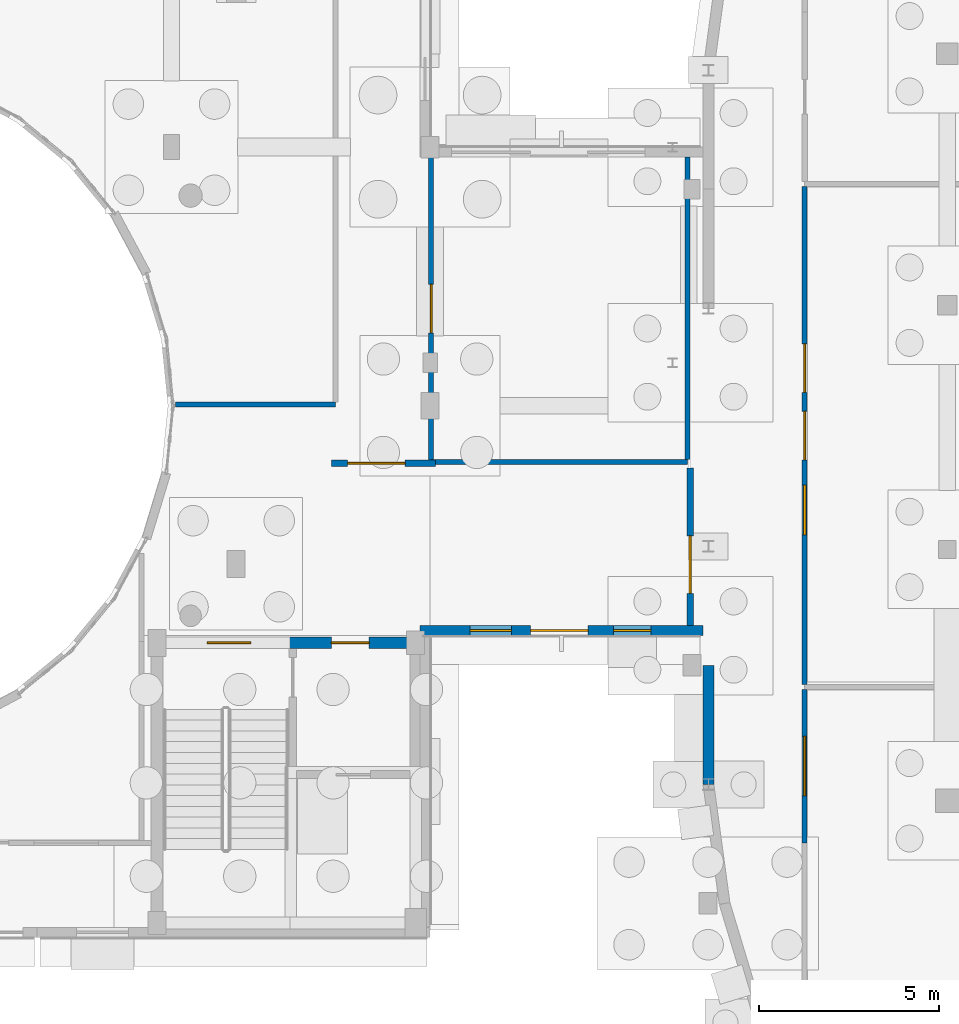
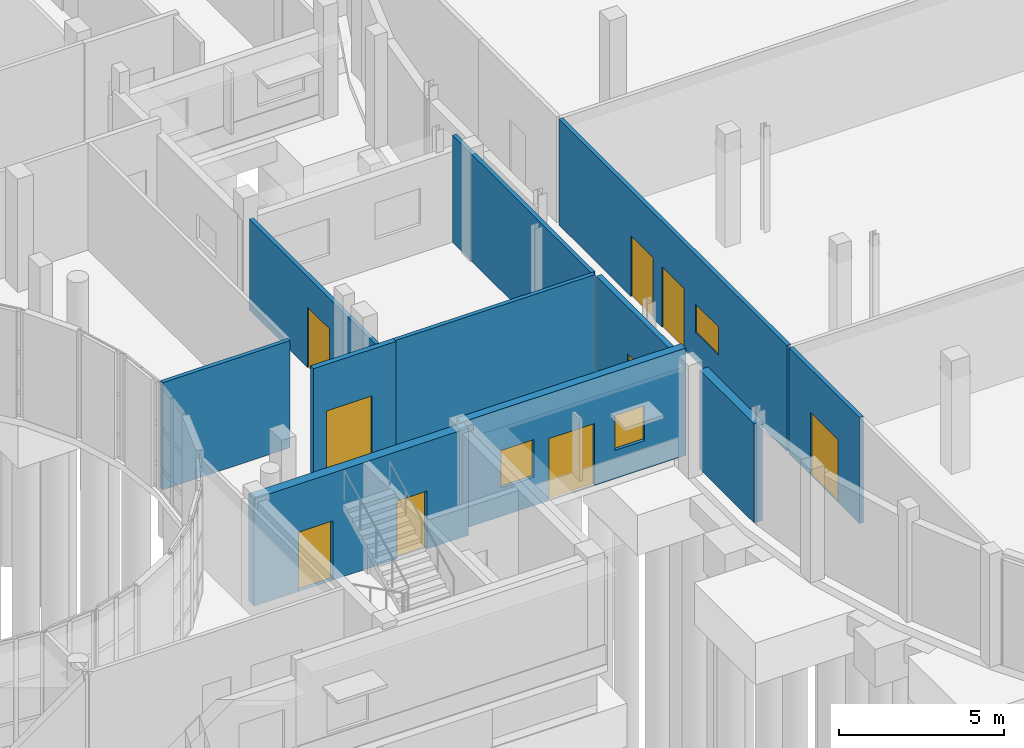
# One storey, part 69 of 93: 11 walls, 9 doors, 3 windows, 12 openings.
"""IFC4 building model written with IfcOpenShell, lengths in metres."""

from ifc_helpers import new_model, si_unit, direction, frame, frame_2d, origin, place, context, subcontext, project, spatial, rectangle, extrude, material, layer, layer_set, type_object, element, fill, save


model = new_model("IFC4")

# Units and contexts
model_context = context("Model", 3, precision=1e-05, world=origin(), true_north=direction((0.0, 1.0)))
body_context = subcontext(model_context, "Body", "Model", "MODEL_VIEW")
ifc_project = project(units=[si_unit("LENGTHUNIT", "METRE"), si_unit("AREAUNIT", "SQUARE_METRE"), si_unit("VOLUMEUNIT", "CUBIC_METRE"), si_unit("PLANEANGLEUNIT", "RADIAN"), si_unit("MASSUNIT", "GRAM", prefix="KILO")], contexts=[model_context])

# Site, building, storey
site_placement = place(None, origin())
site = spatial("IfcSite", under=ifc_project, at=site_placement, CompositionType="ELEMENT")
building_placement = place(site_placement, origin())
building = spatial("IfcBuilding", under=site, at=building_placement, Name="Kelanivale Promenade Academy", CompositionType="ELEMENT")
storey_placement = place(building_placement, origin())
storey = spatial("IfcBuildingStorey", under=building, at=storey_placement, Name="L00", CompositionType="ELEMENT", Elevation=0.0)

# Wall, openings, doors
ifc_material_1 = material(Name="Concrete C40/50", Category="concrete")
ifc_layer_1 = layer(ifc_material_1, 0.330078125)
ifc_layer_set_1 = layer_set([ifc_layer_1], Name="Concrete C40/50")
wall_type_1 = type_object("IfcWallType", Name="CW-S1 Wall 330mm", PredefinedType="SHEAR", material=ifc_layer_set_1)
wall_1_placement = place(storey_placement, frame((107.8349609375, 50.199951171875, 0.0), z_axis=(0.0, 0.0, 1.0), x_axis=(1.0, 0.0, 0.0)))
wall_1 = element("IfcWall", 1, at=wall_1_placement, inside=storey, type_object=wall_type_1, Name="CORE-3 RC shear wall N L00", PredefinedType="SHEAR", context=body_context, shape_type="SweptSolid", body=[
    extrude(rectangle(XDim=7.530029296875, YDim=0.330078125, at=frame_2d((3.76513671875, 0.0))), origin(), (0.0, 0.0, 1.0), 3.97998046875),
])
opening_1_placement = place(wall_1_placement, frame((5.014892578125, 0.0, 0.0)))
opening_1 = element("IfcOpeningElement", 2, at=opening_1_placement, cuts=wall_1, Name="Opening FD-CORE-3-LB-L00", PredefinedType="OPENING", context=body_context, shape_type="SweptSolid", body=[
    extrude(rectangle(XDim=1.050048828125, YDim=2.14990234375, at=frame_2d((0.52490234375, 1.074951171875))), frame((0.0, 0.175048828125, 0.0), z_axis=(0.0, -1.0, 0.0), x_axis=(1.0, 0.0, 0.0)), (0.0, 0.0, 1.0), 0.35009765625),
])
opening_2_placement = place(wall_1_placement, frame((1.56494140625, 0.0, 0.0)))
opening_2 = element("IfcOpeningElement", 3, at=opening_2_placement, cuts=wall_1, Name="Opening FD-CORE-3-ST-L00", PredefinedType="OPENING", context=body_context, shape_type="SweptSolid", body=[
    extrude(rectangle(XDim=1.199951171875, YDim=2.199951171875, at=frame_2d((0.60009765625, 1.10009765625))), frame((0.0, 0.175048828125, 0.0), z_axis=(0.0, -1.0, 0.0), x_axis=(1.0, 0.0, 0.0)), (0.0, 0.0, 1.0), 0.35009765625),
])
ifc_material_2 = material(Name="Fire-rated steel-core teak veneer", Category="steel")
door_type_1 = type_object("IfcDoorType", Name="DT-F02 Door 1200x2200", OperationType="NOTDEFINED", PredefinedType="DOOR", material=ifc_material_2)
door_1_placement = place(opening_2_placement, origin())
door_1 = element("IfcDoor", 4, at=door_1_placement, inside=storey, type_object=door_type_1, Name="CORE-3 protected stair fire door L00", OperationType="SINGLE_SWING_LEFT", OverallHeight=2.199951171875, OverallWidth=1.199951171875, PredefinedType="DOOR", context=body_context, shape_type="SweptSolid", body=[
    extrude(rectangle(XDim=1.199951171875, YDim=2.199951171875, at=frame_2d((0.60009765625, 1.10009765625))), frame((0.0, 0.02490234375, 0.0), z_axis=(0.0, -1.0, 0.0), x_axis=(1.0, 0.0, 0.0)), (0.0, 0.0, 1.0), 0.050048828125),
])
fill(opening_2, door_1)
door_type_2 = type_object("IfcDoorType", Name="DT-F03 Door 1050x2150", OperationType="NOTDEFINED", PredefinedType="DOOR", material=ifc_material_2)
door_2_placement = place(opening_1_placement, origin())
door_2 = element("IfcDoor", 5, at=door_2_placement, inside=storey, type_object=door_type_2, Name="CORE-3 corridor-to-lobby fire door L00", OperationType="SINGLE_SWING_RIGHT", OverallHeight=2.14990234375, OverallWidth=1.050048828125, PredefinedType="DOOR", context=body_context, shape_type="SweptSolid", body=[
    extrude(rectangle(XDim=1.050048828125, YDim=2.14990234375, at=frame_2d((0.52490234375, 1.074951171875))), frame((0.0, 0.02490234375, 0.0), z_axis=(0.0, -1.0, 0.0), x_axis=(1.0, 0.0, 0.0)), (0.0, 0.0, 1.0), 0.050048828125),
])
fill(opening_1, door_2)

# Wall
ifc_material_3 = material(Name="Insulated terracotta-clad masonry wall 300 mm", Category="masonry")
ifc_layer_2 = layer(ifc_material_3, 0.300048828125)
ifc_layer_set_2 = layer_set([ifc_layer_2], Name="Insulated terracotta-clad masonry wall 300 mm")
wall_type_2 = type_object("IfcWallType", Name="EW-01 Wall 300mm", PredefinedType="SOLIDWALL", material=ifc_layer_set_2)
wall_2_placement = place(storey_placement, frame((123.35009765625, 49.571044921875, 0.0), z_axis=(0.0, 0.0, 1.0), x_axis=(0.0, -1.0, 0.0)))
element("IfcWall", 6, at=wall_2_placement, inside=storey, type_object=wall_type_2, Name="Assembly Hall Arc Pavilion inner crescent wall L00", PredefinedType="SOLIDWALL", context=body_context, shape_type="SweptSolid", body=[
    extrude(rectangle(XDim=3.31396484375, YDim=0.300048828125, at=frame_2d((1.656982421875, 0.0))), origin(), (0.0, 0.0, 1.0), 3.679931640625),
])

# Wall, openings, door, windows
ifc_material_4 = material(Name="Insulated ivory stucco masonry wall 280 mm", Category="masonry")
ifc_layer_3 = layer(ifc_material_4, 0.280029296875)
ifc_layer_set_3 = layer_set([ifc_layer_3], Name="Insulated ivory stucco masonry wall 280 mm")
wall_type_3 = type_object("IfcWallType", Name="EW-02 Wall 280mm", PredefinedType="SOLIDWALL", material=ifc_layer_set_3)
wall_3_placement = place(storey_placement, frame((115.320068359375, 50.5400390625, 0.0), z_axis=(0.0, 0.0, 1.0), x_axis=(1.0, 0.0, 0.0)))
wall_3 = element("IfcWall", 7, at=wall_3_placement, inside=storey, type_object=wall_type_3, Name="L00 exterior facade wall EW-L00-ORT-0292", PredefinedType="SOLIDWALL", context=body_context, shape_type="SweptSolid", body=[
    extrude(rectangle(XDim=7.8798828125, YDim=0.280029296875, at=frame_2d((3.93994140625, 0.0))), origin(), (0.0, 0.0, 1.0), 3.97998046875),
])
opening_3_placement = place(wall_3_placement, frame((3.080078125, 0.0, 0.0)))
opening_3 = element("IfcOpeningElement", 8, at=opening_3_placement, cuts=wall_3, Name="Opening ED-11", PredefinedType="OPENING", context=body_context, shape_type="SweptSolid", body=[
    extrude(rectangle(XDim=1.60009765625, YDim=2.300048828125, at=frame_2d((0.800048828125, 1.14990234375))), frame((0.0, 0.14990234375, 0.0), z_axis=(0.0, -1.0, 0.0), x_axis=(1.0, 0.0, 0.0)), (0.0, 0.0, 1.0), 0.300048828125),
])
opening_4_placement = place(wall_3_placement, frame((1.39501953125, 0.0, 1.050048828125)))
opening_4 = element("IfcOpeningElement", 9, at=opening_4_placement, cuts=wall_3, Name="Opening WT-29", PredefinedType="OPENING", context=body_context, shape_type="SweptSolid", body=[
    extrude(rectangle(XDim=1.14990234375, YDim=1.39990234375, at=frame_2d((0.574951171875, 0.699951171875))), frame((0.0, 0.14990234375, 0.0), z_axis=(0.0, -1.0, 0.0), x_axis=(1.0, 0.0, 0.0)), (0.0, 0.0, 1.0), 0.300048828125),
])
opening_5_placement = place(wall_3_placement, frame((5.385009765625, 0.0, 1.050048828125)))
opening_5 = element("IfcOpeningElement", 10, at=opening_5_placement, cuts=wall_3, Name="Opening WT-30", PredefinedType="OPENING", context=body_context, shape_type="SweptSolid", body=[
    extrude(rectangle(XDim=1.050048828125, YDim=1.300048828125, at=frame_2d((0.52490234375, 0.64990234375))), frame((0.0, 0.14990234375, 0.0), z_axis=(0.0, -1.0, 0.0), x_axis=(1.0, 0.0, 0.0)), (0.0, 0.0, 1.0), 0.300048828125),
])
ifc_material_5 = material(Name="Bronze anodised aluminium and laminated glass", Category="aluminium")
door_type_3 = type_object("IfcDoorType", Name="DT-X02 Door 1600x2300", OperationType="NOTDEFINED", PredefinedType="DOOR", material=ifc_material_5)
door_3_placement = place(opening_3_placement, frame((1.60009765625, 0.0, 0.0), z_axis=(0.0, 0.0, 1.0), x_axis=(-1.0, 0.0, 0.0)))
door_3 = element("IfcDoor", 11, at=door_3_placement, inside=storey, type_object=door_type_3, Name="East Assembly Foyer final exit door ED-11", OperationType="DOUBLE_DOOR_SINGLE_SWING", OverallHeight=2.300048828125, OverallWidth=1.60009765625, PredefinedType="DOOR", context=body_context, shape_type="SweptSolid", body=[
    extrude(rectangle(XDim=1.60009765625, YDim=2.300048828125, at=frame_2d((0.800048828125, 1.14990234375))), frame((0.0, 0.02490234375, 0.0), z_axis=(0.0, -1.0, 0.0), x_axis=(1.0, 0.0, 0.0)), (0.0, 0.0, 1.0), 0.050048828125),
])
fill(opening_3, door_3)
ifc_material_6 = material(Name="Bronze anodised aluminium frame with low-E laminated glass", Category="aluminium")
window_type_1 = type_object("IfcWindowType", Name="WT-29 Window 1150x1400", PartitioningType="SINGLE_PANEL", PredefinedType="WINDOW", material=ifc_material_6)
window_1_placement = place(opening_4_placement, origin())
window_1 = element("IfcWindow", 12, at=window_1_placement, inside=storey, type_object=window_type_1, Name="Window WT-29", OverallHeight=1.39990234375, OverallWidth=1.14990234375, PartitioningType="SINGLE_PANEL", PredefinedType="WINDOW", context=body_context, shape_type="SweptSolid", body=[
    extrude(rectangle(XDim=1.14990234375, YDim=1.39990234375, at=frame_2d((0.574951171875, 0.699951171875))), frame((0.0, 0.030029296875, 0.0), z_axis=(0.0, -1.0, 0.0), x_axis=(1.0, 0.0, 0.0)), (0.0, 0.0, 1.0), 0.06005859375),
])
fill(opening_4, window_1)
window_type_2 = type_object("IfcWindowType", Name="WT-30 Window 1050x1300", PartitioningType="SINGLE_PANEL", PredefinedType="WINDOW", material=ifc_material_6)
window_2_placement = place(opening_5_placement, origin())
window_2 = element("IfcWindow", 13, at=window_2_placement, inside=storey, type_object=window_type_2, Name="Window WT-30", OverallHeight=1.300048828125, OverallWidth=1.050048828125, PartitioningType="SINGLE_PANEL", PredefinedType="WINDOW", context=body_context, shape_type="SweptSolid", body=[
    extrude(rectangle(XDim=1.050048828125, YDim=1.300048828125, at=frame_2d((0.52490234375, 0.64990234375))), frame((0.0, 0.030029296875, 0.0), z_axis=(0.0, -1.0, 0.0), x_axis=(1.0, 0.0, 0.0)), (0.0, 0.0, 1.0), 0.06005859375),
])
fill(opening_5, window_2)

# Wall, opening, door
ifc_material_7 = material(Name="Autoclaved masonry blockwork 180 mm", Category="masonry")
ifc_layer_4 = layer(ifc_material_7, 0.179931640625)
ifc_layer_set_4 = layer_set([ifc_layer_4], Name="Autoclaved masonry blockwork 180 mm")
wall_type_4 = type_object("IfcWallType", Name="IW-02 Wall 180mm", PredefinedType="PARTITIONING", material=ifc_layer_set_4)
wall_4_placement = place(storey_placement, frame((122.840087890625, 50.677978515625, 0.0), z_axis=(0.0, 0.0, 1.0), x_axis=(0.0, 1.0, 0.0)))
wall_4 = element("IfcWall", 14, at=wall_4_placement, inside=storey, type_object=wall_type_4, Name="L00 movement-joint corridor fire wall E", PredefinedType="PARTITIONING", context=body_context, shape_type="SweptSolid", body=[
    extrude(rectangle(XDim=4.382080078125, YDim=0.179931640625, at=frame_2d((2.19091796875, 0.0))), origin(), (0.0, 0.0, 1.0), 3.97998046875),
])
opening_6_placement = place(wall_4_placement, frame((0.89990234375, 0.0, 0.0)))
opening_6 = element("IfcOpeningElement", 15, at=opening_6_placement, cuts=wall_4, Name="Opening FD-L00-MJ-E", PredefinedType="OPENING", context=body_context, shape_type="SweptSolid", body=[
    extrude(rectangle(XDim=1.60009765625, YDim=2.25, at=frame_2d((0.800048828125, 1.125))), frame((0.0, 0.10009765625, 0.0), z_axis=(0.0, -1.0, 0.0), x_axis=(1.0, 0.0, 0.0)), (0.0, 0.0, 1.0), 0.199951171875),
])
door_type_4 = type_object("IfcDoorType", Name="DT-F09 Door 1600x2250", OperationType="NOTDEFINED", PredefinedType="DOOR", material=ifc_material_2)
door_4_placement = place(opening_6_placement, origin())
door_4 = element("IfcDoor", 16, at=door_4_placement, inside=storey, type_object=door_type_4, Name="L00 movement-joint corridor double fire door E", OperationType="DOUBLE_DOOR_SINGLE_SWING", OverallHeight=2.25, OverallWidth=1.60009765625, PredefinedType="DOOR", context=body_context, shape_type="SweptSolid", body=[
    extrude(rectangle(XDim=1.60009765625, YDim=2.25, at=frame_2d((0.800048828125, 1.125))), frame((0.0, 0.02490234375, 0.0), z_axis=(0.0, -1.0, 0.0), x_axis=(1.0, 0.0, 0.0)), (0.0, 0.0, 1.0), 0.050048828125),
])
fill(opening_6, door_4)

wall_5_placement = place(storey_placement, frame((112.85302734375, 55.199951171875, 0.0), z_axis=(0.0, 0.0, 1.0), x_axis=(1.0, 0.0, 0.0)))
wall_5 = element("IfcWall", 17, at=wall_5_placement, inside=storey, type_object=wall_type_4, Name="L00 cross-corridor fire wall", PredefinedType="PARTITIONING", context=body_context, shape_type="SweptSolid", body=[
    extrude(rectangle(XDim=2.89697265625, YDim=0.179931640625, at=frame_2d((1.448486328125, 0.0))), origin(), (0.0, 0.0, 1.0), 3.97998046875),
])
opening_7_placement = place(wall_5_placement, frame((0.4541015625, 0.0, 0.0)))
opening_7 = element("IfcOpeningElement", 18, at=opening_7_placement, cuts=wall_5, Name="Opening FD-L00-CC-002", PredefinedType="OPENING", context=body_context, shape_type="SweptSolid", body=[
    extrude(rectangle(XDim=1.60009765625, YDim=2.25, at=frame_2d((0.800048828125, 1.125))), frame((0.0, 0.10009765625, 0.0), z_axis=(0.0, -1.0, 0.0), x_axis=(1.0, 0.0, 0.0)), (0.0, 0.0, 1.0), 0.199951171875),
])
door_5_placement = place(opening_7_placement, origin())
door_5 = element("IfcDoor", 19, at=door_5_placement, inside=storey, type_object=door_type_4, Name="L00 cross-corridor fire door FD-L00-CC-002", OperationType="DOUBLE_DOOR_SINGLE_SWING", OverallHeight=2.25, OverallWidth=1.60009765625, PredefinedType="DOOR", context=body_context, shape_type="SweptSolid", body=[
    extrude(rectangle(XDim=1.60009765625, YDim=2.25, at=frame_2d((0.800048828125, 1.125))), frame((0.0, 0.02490234375, 0.0), z_axis=(0.0, -1.0, 0.0), x_axis=(1.0, 0.0, 0.0)), (0.0, 0.0, 1.0), 0.050048828125),
])
fill(opening_7, door_5)

ifc_material_8 = material(Name="Acoustic double-stud gypsum board partition 140 mm", Category="masonry")
ifc_layer_5 = layer(ifc_material_8, 0.139892578125)
ifc_layer_set_5 = layer_set([ifc_layer_5], Name="Acoustic double-stud gypsum board partition 140 mm")
wall_type_5 = type_object("IfcWallType", Name="IW-04 Wall 140mm", PredefinedType="PARTITIONING", material=ifc_layer_set_5)
wall_6_placement = place(storey_placement, frame((126.030029296875, 48.902099609375, 0.0), z_axis=(0.0, 0.0, 1.0), x_axis=(0.0, -1.0, 0.0)))
wall_6 = element("IfcWall", 20, at=wall_6_placement, inside=storey, type_object=wall_type_5, Name="L00 partition Music Recital Studio", PredefinedType="PARTITIONING", context=body_context, shape_type="SweptSolid", body=[
    extrude(rectangle(XDim=4.272216796875, YDim=0.139892578125, at=frame_2d((2.13623046875, 0.0))), origin(), (0.0, 0.0, 1.0), 3.929931640625),
])
opening_8_placement = place(wall_6_placement, frame((1.31103515625, 0.0, 0.0)))
opening_8 = element("IfcOpeningElement", 21, at=opening_8_placement, cuts=wall_6, Name="Opening ID-L00-017", PredefinedType="OPENING", context=body_context, shape_type="SweptSolid", body=[
    extrude(rectangle(XDim=1.64990234375, YDim=2.320068359375, at=frame_2d((0.824951171875, 1.16015625))), frame((0.0, 0.080078125, 0.0), z_axis=(0.0, -1.0, 0.0), x_axis=(1.0, 0.0, 0.0)), (0.0, 0.0, 1.0), 0.159912109375),
])
ifc_material_9 = material(Name="Solid-core tropical teak timber", Category="wood")
door_type_5 = type_object("IfcDoorType", Name="DT-I21 Door 1650x2320", OperationType="NOTDEFINED", PredefinedType="DOOR", material=ifc_material_9)
door_6_placement = place(opening_8_placement, origin())
door_6 = element("IfcDoor", 22, at=door_6_placement, inside=storey, type_object=door_type_5, Name="Music Recital Studio door ID-L00-017", OperationType="DOUBLE_DOOR_SINGLE_SWING", OverallHeight=2.320068359375, OverallWidth=1.64990234375, PredefinedType="DOOR", context=body_context, shape_type="SweptSolid", body=[
    extrude(rectangle(XDim=1.64990234375, YDim=2.320068359375, at=frame_2d((0.824951171875, 1.16015625))), frame((0.0, 0.02490234375, 0.0), z_axis=(0.0, -1.0, 0.0), x_axis=(1.0, 0.0, 0.0)), (0.0, 0.0, 1.0), 0.050048828125),
])
fill(opening_8, door_6)

# Wall, openings, doors, window
wall_7_placement = place(storey_placement, frame((126.030029296875, 62.902099609375, 0.0), z_axis=(0.0, 0.0, 1.0), x_axis=(0.0, -1.0, 0.0)))
wall_7 = element("IfcWall", 23, at=wall_7_placement, inside=storey, type_object=wall_type_5, Name="L00 partition Drama Black-Box Studio", PredefinedType="PARTITIONING", context=body_context, shape_type="SweptSolid", body=[
    extrude(rectangle(XDim=13.864013671875, YDim=0.139892578125, at=frame_2d((6.93212890625, 0.0))), origin(), (0.0, 0.0, 1.0), 3.929931640625),
])
opening_9_placement = place(wall_7_placement, frame((6.257080078125, 0.0, 0.0)))
opening_9 = element("IfcOpeningElement", 24, at=opening_9_placement, cuts=wall_7, Name="Opening ID-L00-018", PredefinedType="OPENING", context=body_context, shape_type="SweptSolid", body=[
    extrude(rectangle(XDim=1.35009765625, YDim=2.25, at=frame_2d((0.675048828125, 1.125))), frame((0.0, 0.080078125, 0.0), z_axis=(0.0, -1.0, 0.0), x_axis=(1.0, 0.0, 0.0)), (0.0, 0.0, 1.0), 0.159912109375),
])
opening_10_placement = place(wall_7_placement, frame((4.3798828125, 0.0, 0.0)))
opening_10 = element("IfcOpeningElement", 25, at=opening_10_placement, cuts=wall_7, Name="Opening ID-L00-019", PredefinedType="OPENING", context=body_context, shape_type="SweptSolid", body=[
    extrude(rectangle(XDim=1.35009765625, YDim=2.25, at=frame_2d((0.675048828125, 1.125))), frame((0.0, 0.080078125, 0.0), z_axis=(0.0, -1.0, 0.0), x_axis=(1.0, 0.0, 0.0)), (0.0, 0.0, 1.0), 0.159912109375),
])
opening_11_placement = place(wall_7_placement, frame((8.306884765625, 0.0, 1.050048828125)))
opening_11 = element("IfcOpeningElement", 26, at=opening_11_placement, cuts=wall_7, Name="Opening WT-I03", PredefinedType="OPENING", context=body_context, shape_type="SweptSolid", body=[
    extrude(rectangle(XDim=1.39990234375, YDim=1.050048828125, at=frame_2d((0.699951171875, 0.52490234375))), frame((0.0, 0.080078125, 0.0), z_axis=(0.0, -1.0, 0.0), x_axis=(1.0, 0.0, 0.0)), (0.0, 0.0, 1.0), 0.159912109375),
])
door_type_6 = type_object("IfcDoorType", Name="DT-I13 Door 1350x2250", OperationType="NOTDEFINED", PredefinedType="DOOR", material=ifc_material_9)
door_7_placement = place(opening_9_placement, origin())
door_7 = element("IfcDoor", 27, at=door_7_placement, inside=storey, type_object=door_type_6, Name="Drama Black-Box Studio door ID-L00-018", OperationType="DOUBLE_DOOR_SINGLE_SWING", OverallHeight=2.25, OverallWidth=1.35009765625, PredefinedType="DOOR", context=body_context, shape_type="SweptSolid", body=[
    extrude(rectangle(XDim=1.35009765625, YDim=2.25, at=frame_2d((0.675048828125, 1.125))), frame((0.0, 0.02490234375, 0.0), z_axis=(0.0, -1.0, 0.0), x_axis=(1.0, 0.0, 0.0)), (0.0, 0.0, 1.0), 0.050048828125),
])
fill(opening_9, door_7)
door_8_placement = place(opening_10_placement, origin())
door_8 = element("IfcDoor", 28, at=door_8_placement, inside=storey, type_object=door_type_6, Name="Drama Black-Box Studio secondary door ID-L00-019", OperationType="DOUBLE_DOOR_SINGLE_SWING", OverallHeight=2.25, OverallWidth=1.35009765625, PredefinedType="DOOR", context=body_context, shape_type="SweptSolid", body=[
    extrude(rectangle(XDim=1.35009765625, YDim=2.25, at=frame_2d((0.675048828125, 1.125))), frame((0.0, 0.02490234375, 0.0), z_axis=(0.0, -1.0, 0.0), x_axis=(1.0, 0.0, 0.0)), (0.0, 0.0, 1.0), 0.050048828125),
])
fill(opening_10, door_8)
window_type_3 = type_object("IfcWindowType", Name="WT-I03 Window 1400x1050", PartitioningType="SINGLE_PANEL", PredefinedType="WINDOW", material=ifc_material_6)
window_3_placement = place(opening_11_placement, origin())
window_3 = element("IfcWindow", 29, at=window_3_placement, inside=storey, type_object=window_type_3, Name="Interior observation window WT-I03", OverallHeight=1.050048828125, OverallWidth=1.39990234375, PartitioningType="SINGLE_PANEL", PredefinedType="WINDOW", context=body_context, shape_type="SweptSolid", body=[
    extrude(rectangle(XDim=1.39990234375, YDim=1.050048828125, at=frame_2d((0.699951171875, 0.52490234375))), frame((0.0, 0.030029296875, 0.0), z_axis=(0.0, -1.0, 0.0), x_axis=(1.0, 0.0, 0.0)), (0.0, 0.0, 1.0), 0.06005859375),
])
fill(opening_11, window_3)

# Wall, opening, door
wall_8_placement = place(storey_placement, frame((115.6298828125, 63.721923828125, 0.0), z_axis=(0.0, 0.0, 1.0), x_axis=(0.0, -1.0, 0.0)))
wall_8 = element("IfcWall", 30, at=wall_8_placement, inside=storey, type_object=wall_type_5, Name="L00 partition Drama Costume Workshop", PredefinedType="PARTITIONING", context=body_context, shape_type="SweptSolid", body=[
    extrude(rectangle(XDim=8.433837890625, YDim=0.139892578125, at=frame_2d((4.216796875, 0.0))), origin(), (0.0, 0.0, 1.0), 3.375),
])
opening_12_placement = place(wall_8_placement, frame((3.5419921875, 0.0, 0.0)))
opening_12 = element("IfcOpeningElement", 31, at=opening_12_placement, cuts=wall_8, Name="Opening ID-L00-021", PredefinedType="OPENING", context=body_context, shape_type="SweptSolid", body=[
    extrude(rectangle(XDim=1.35009765625, YDim=2.25, at=frame_2d((0.675048828125, 1.125))), frame((0.0, 0.080078125, 0.0), z_axis=(0.0, -1.0, 0.0), x_axis=(1.0, 0.0, 0.0)), (0.0, 0.0, 1.0), 0.159912109375),
])
door_9_placement = place(opening_12_placement, origin())
door_9 = element("IfcDoor", 32, at=door_9_placement, inside=storey, type_object=door_type_6, Name="Drama Costume Workshop door ID-L00-021", OperationType="DOUBLE_DOOR_SINGLE_SWING", OverallHeight=2.25, OverallWidth=1.35009765625, PredefinedType="DOOR", context=body_context, shape_type="SweptSolid", body=[
    extrude(rectangle(XDim=1.35009765625, YDim=2.25, at=frame_2d((0.675048828125, 1.125))), frame((0.0, 0.02490234375, 0.0), z_axis=(0.0, -1.0, 0.0), x_axis=(1.0, 0.0, 0.0)), (0.0, 0.0, 1.0), 0.050048828125),
])
fill(opening_12, door_9)

# Walls
wall_9_placement = place(storey_placement, frame((115.6298828125, 55.22998046875, 0.0), z_axis=(0.0, 0.0, 1.0), x_axis=(1.0, 0.0, 0.0)))
element("IfcWall", 33, at=wall_9_placement, inside=storey, type_object=wall_type_5, Name="L00 partition Drama Costume Workshop", PredefinedType="PARTITIONING", context=body_context, shape_type="SweptSolid", body=[
    extrude(rectangle(XDim=7.14013671875, YDim=0.139892578125, at=frame_2d((3.570068359375, 0.0))), origin(), (0.0, 0.0, 1.0), 3.97509765625),
])
wall_10_placement = place(storey_placement, frame((122.77001953125, 55.298095703125, 0.0), z_axis=(0.0, 0.0, 1.0), x_axis=(0.0, 1.0, 0.0)))
element("IfcWall", 34, at=wall_10_placement, inside=storey, type_object=wall_type_5, Name="L00 partition Drama Costume Workshop", PredefinedType="PARTITIONING", context=body_context, shape_type="SweptSolid", body=[
    extrude(rectangle(XDim=8.423828125, YDim=0.139892578125, at=frame_2d((4.2119140625, 0.0))), origin(), (0.0, 0.0, 1.0), 3.97509765625),
])
wall_11_placement = place(storey_placement, frame((108.51611328125, 56.830078125, 0.0), z_axis=(0.0, 0.0, 1.0), x_axis=(1.0, 0.0, 0.0)))
element("IfcWall", 35, at=wall_11_placement, inside=storey, type_object=wall_type_5, Name="L00 partition Humanities Seminar East B", PredefinedType="PARTITIONING", context=body_context, shape_type="SweptSolid", body=[
    extrude(rectangle(XDim=4.453857421875, YDim=0.139892578125, at=frame_2d((2.22705078125, 0.0))), origin(), (0.0, 0.0, 1.0), 3.97509765625),
])

save(model, "model.ifc")
